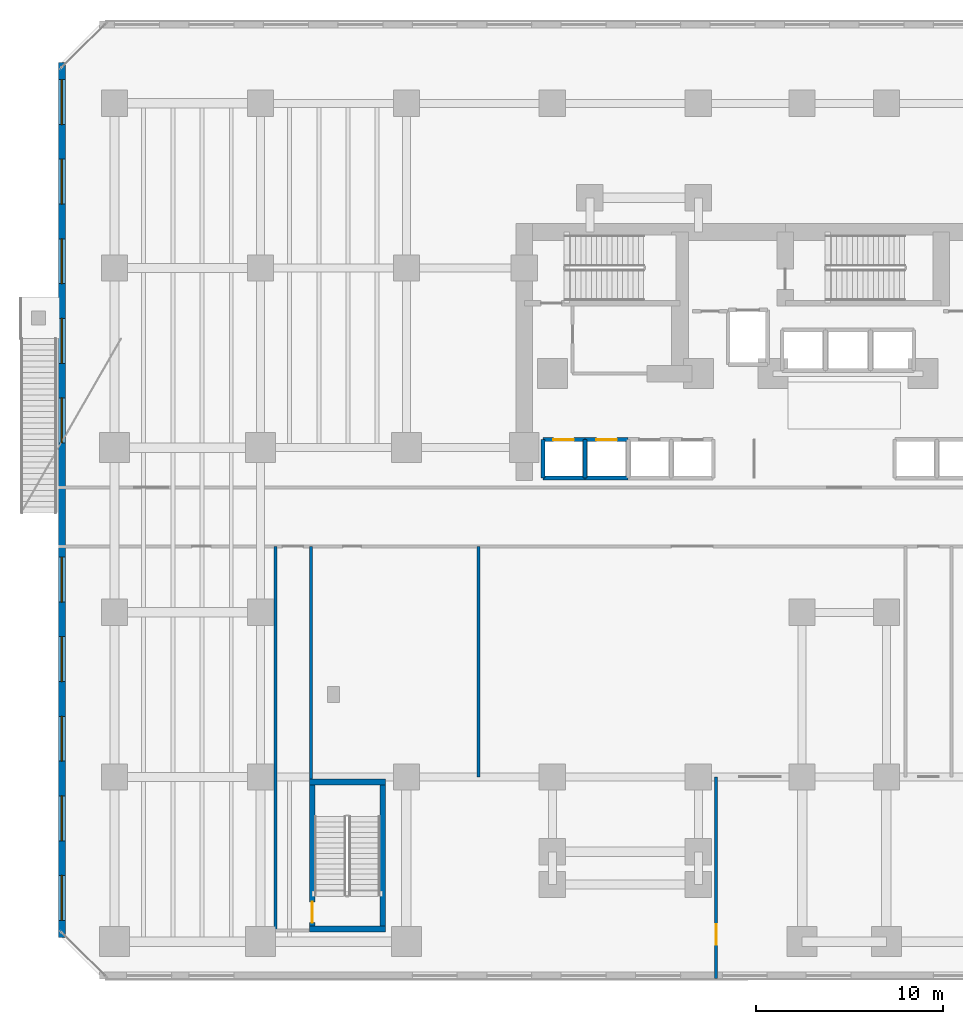
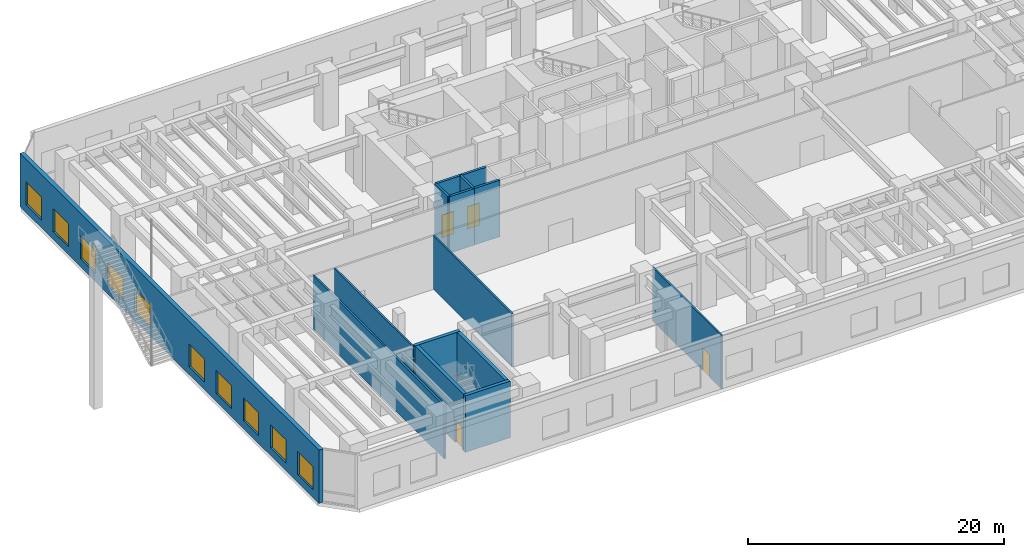
# One storey, part 10 of 21: 15 walls, 10 windows, 4 doors, 14 openings.
"""IFC4 building model written with IfcOpenShell, lengths in metres."""

from ifc_helpers import new_model, si_unit, direction, frame, frame_2d, origin, place, context, subcontext, project, spatial, rectangle, extrude, material, layer, layer_set, type_object, element, fill, save


model = new_model("IFC4")

# Units and contexts
model_context = context("Model", 3, precision=1e-05, world=origin(), true_north=direction((0.0, 1.0)))
body_context = subcontext(model_context, "Body", "Model", "MODEL_VIEW")
ifc_project = project(units=[si_unit("LENGTHUNIT", "METRE"), si_unit("AREAUNIT", "SQUARE_METRE"), si_unit("VOLUMEUNIT", "CUBIC_METRE"), si_unit("PLANEANGLEUNIT", "RADIAN"), si_unit("MASSUNIT", "GRAM", prefix="KILO")], contexts=[model_context])

# Site, building, storey
site_placement = place(None, origin())
site = spatial("IfcSite", under=ifc_project, at=site_placement, CompositionType="ELEMENT")
building_placement = place(site_placement, origin())
building = spatial("IfcBuilding", under=site, at=building_placement, Name="Kestravale Grand Hotel", CompositionType="ELEMENT")
storey_placement = place(building_placement, frame((0.0, 0.0, 10.39990234375)))
storey = spatial("IfcBuildingStorey", under=building, at=storey_placement, Name="L02", CompositionType="ELEMENT", Elevation=10.39990234375)

# Wall, openings, windows
ifc_material_1 = material(Name="Precast concrete f'c 45 MPa", Category="concrete")
ifc_layer_1 = layer(ifc_material_1, 0.3798828125)
ifc_layer_set_1 = layer_set([ifc_layer_1], Name="EW-POD-380")
wall_type_1 = type_object("IfcWallType", Name="EW-POD-380", PredefinedType="SOLIDWALL", material=ifc_layer_set_1)
wall_1_placement = place(storey_placement, frame((-2.81005859375, 49.389892578125, 0.0), z_axis=(0.0, 0.0, 1.0), x_axis=(0.0, -1.0, 0.0)))
wall_1 = element("IfcWall", 1, at=wall_1_placement, inside=storey, type_object=wall_type_1, Name="L02 fluted precast facade wall 7", PredefinedType="SOLIDWALL", context=body_context, shape_type="SweptSolid", body=[
    extrude(rectangle(XDim=46.77978515625, YDim=0.3798828125, at=frame_2d((23.389892578125, 0.0))), origin(), (0.0, 0.0, 1.0), 5.10009765625),
])
opening_1_placement = place(wall_1_placement, frame((0.926513671875, 0.0, 0.75)))
opening_1 = element("IfcOpeningElement", 2, at=opening_1_placement, cuts=wall_1, Name="Opening W-POD-2400", PredefinedType="OPENING", context=body_context, shape_type="SweptSolid", body=[
    extrude(rectangle(XDim=2.39990234375, YDim=2.199951171875, at=frame_2d((1.199951171875, 1.10009765625))), frame((0.0, 0.199951171875, 0.0), z_axis=(0.0, -1.0, 0.0), x_axis=(1.0, 0.0, 0.0)), (0.0, 0.0, 1.0), 0.39990234375),
])
opening_2_placement = place(wall_1_placement, frame((5.17919921875, 0.0, 0.75)))
opening_2 = element("IfcOpeningElement", 3, at=opening_2_placement, cuts=wall_1, Name="Opening W-POD-2400", PredefinedType="OPENING", context=body_context, shape_type="SweptSolid", body=[
    extrude(rectangle(XDim=2.39990234375, YDim=2.199951171875, at=frame_2d((1.199951171875, 1.10009765625))), frame((0.0, 0.199951171875, 0.0), z_axis=(0.0, -1.0, 0.0), x_axis=(1.0, 0.0, 0.0)), (0.0, 0.0, 1.0), 0.39990234375),
])
opening_3_placement = place(wall_1_placement, frame((9.431884765625, 0.0, 0.75)))
opening_3 = element("IfcOpeningElement", 4, at=opening_3_placement, cuts=wall_1, Name="Opening W-POD-2400", PredefinedType="OPENING", context=body_context, shape_type="SweptSolid", body=[
    extrude(rectangle(XDim=2.39990234375, YDim=2.199951171875, at=frame_2d((1.199951171875, 1.10009765625))), frame((0.0, 0.199951171875, 0.0), z_axis=(0.0, -1.0, 0.0), x_axis=(1.0, 0.0, 0.0)), (0.0, 0.0, 1.0), 0.39990234375),
])
opening_4_placement = place(wall_1_placement, frame((13.6845703125, 0.0, 0.75)))
opening_4 = element("IfcOpeningElement", 5, at=opening_4_placement, cuts=wall_1, Name="Opening W-POD-2400", PredefinedType="OPENING", context=body_context, shape_type="SweptSolid", body=[
    extrude(rectangle(XDim=2.39990234375, YDim=2.199951171875, at=frame_2d((1.199951171875, 1.10009765625))), frame((0.0, 0.199951171875, 0.0), z_axis=(0.0, -1.0, 0.0), x_axis=(1.0, 0.0, 0.0)), (0.0, 0.0, 1.0), 0.39990234375),
])
opening_5_placement = place(wall_1_placement, frame((17.937255859375, 0.0, 0.75)))
opening_5 = element("IfcOpeningElement", 6, at=opening_5_placement, cuts=wall_1, Name="Opening W-POD-2400", PredefinedType="OPENING", context=body_context, shape_type="SweptSolid", body=[
    extrude(rectangle(XDim=2.39990234375, YDim=2.199951171875, at=frame_2d((1.199951171875, 1.10009765625))), frame((0.0, 0.199951171875, 0.0), z_axis=(0.0, -1.0, 0.0), x_axis=(1.0, 0.0, 0.0)), (0.0, 0.0, 1.0), 0.39990234375),
])
opening_6_placement = place(wall_1_placement, frame((26.442626953125, 0.0, 0.75)))
opening_6 = element("IfcOpeningElement", 7, at=opening_6_placement, cuts=wall_1, Name="Opening W-POD-2400", PredefinedType="OPENING", context=body_context, shape_type="SweptSolid", body=[
    extrude(rectangle(XDim=2.39990234375, YDim=2.199951171875, at=frame_2d((1.199951171875, 1.10009765625))), frame((0.0, 0.199951171875, 0.0), z_axis=(0.0, -1.0, 0.0), x_axis=(1.0, 0.0, 0.0)), (0.0, 0.0, 1.0), 0.39990234375),
])
opening_7_placement = place(wall_1_placement, frame((30.695556640625, 0.0, 0.75)))
opening_7 = element("IfcOpeningElement", 8, at=opening_7_placement, cuts=wall_1, Name="Opening W-POD-2400", PredefinedType="OPENING", context=body_context, shape_type="SweptSolid", body=[
    extrude(rectangle(XDim=2.39990234375, YDim=2.199951171875, at=frame_2d((1.199951171875, 1.10009765625))), frame((0.0, 0.199951171875, 0.0), z_axis=(0.0, -1.0, 0.0), x_axis=(1.0, 0.0, 0.0)), (0.0, 0.0, 1.0), 0.39990234375),
])
opening_8_placement = place(wall_1_placement, frame((34.9482421875, 0.0, 0.75)))
opening_8 = element("IfcOpeningElement", 9, at=opening_8_placement, cuts=wall_1, Name="Opening W-POD-2400", PredefinedType="OPENING", context=body_context, shape_type="SweptSolid", body=[
    extrude(rectangle(XDim=2.39990234375, YDim=2.199951171875, at=frame_2d((1.199951171875, 1.10009765625))), frame((0.0, 0.199951171875, 0.0), z_axis=(0.0, -1.0, 0.0), x_axis=(1.0, 0.0, 0.0)), (0.0, 0.0, 1.0), 0.39990234375),
])
opening_9_placement = place(wall_1_placement, frame((39.200927734375, 0.0, 0.75)))
opening_9 = element("IfcOpeningElement", 10, at=opening_9_placement, cuts=wall_1, Name="Opening W-POD-2400", PredefinedType="OPENING", context=body_context, shape_type="SweptSolid", body=[
    extrude(rectangle(XDim=2.39990234375, YDim=2.199951171875, at=frame_2d((1.199951171875, 1.10009765625))), frame((0.0, 0.199951171875, 0.0), z_axis=(0.0, -1.0, 0.0), x_axis=(1.0, 0.0, 0.0)), (0.0, 0.0, 1.0), 0.39990234375),
])
opening_10_placement = place(wall_1_placement, frame((43.45361328125, 0.0, 0.75)))
opening_10 = element("IfcOpeningElement", 11, at=opening_10_placement, cuts=wall_1, Name="Opening W-POD-2400", PredefinedType="OPENING", context=body_context, shape_type="SweptSolid", body=[
    extrude(rectangle(XDim=2.39990234375, YDim=2.199951171875, at=frame_2d((1.199951171875, 1.10009765625))), frame((0.0, 0.199951171875, 0.0), z_axis=(0.0, -1.0, 0.0), x_axis=(1.0, 0.0, 0.0)), (0.0, 0.0, 1.0), 0.39990234375),
])
ifc_material_2 = material(Name="Insulated low-E double glazing in aluminium frame", Category="aluminium")
window_type = type_object("IfcWindowType", Name="W-POD-2400", PartitioningType="DOUBLE_PANEL_VERTICAL", PredefinedType="WINDOW", material=ifc_material_2)
window_1_placement = place(opening_1_placement, origin())
window_1 = element("IfcWindow", 12, at=window_1_placement, inside=storey, type_object=window_type, Name="L02 exterior window 7.1", OverallHeight=2.199951171875, OverallWidth=2.39990234375, PartitioningType="SINGLE_PANEL", PredefinedType="WINDOW", context=body_context, shape_type="SweptSolid", body=[
    extrude(rectangle(XDim=2.39990234375, YDim=2.199951171875, at=frame_2d((1.199951171875, 1.10009765625))), frame((0.0, 0.030029296875, 0.0), z_axis=(0.0, -1.0, 0.0), x_axis=(1.0, 0.0, 0.0)), (0.0, 0.0, 1.0), 0.06005859375),
])
fill(opening_1, window_1)
window_2_placement = place(opening_2_placement, origin())
window_2 = element("IfcWindow", 13, at=window_2_placement, inside=storey, type_object=window_type, Name="L02 exterior window 7.2", OverallHeight=2.199951171875, OverallWidth=2.39990234375, PartitioningType="SINGLE_PANEL", PredefinedType="WINDOW", context=body_context, shape_type="SweptSolid", body=[
    extrude(rectangle(XDim=2.39990234375, YDim=2.199951171875, at=frame_2d((1.199951171875, 1.10009765625))), frame((0.0, 0.030029296875, 0.0), z_axis=(0.0, -1.0, 0.0), x_axis=(1.0, 0.0, 0.0)), (0.0, 0.0, 1.0), 0.06005859375),
])
fill(opening_2, window_2)
window_3_placement = place(opening_3_placement, origin())
window_3 = element("IfcWindow", 14, at=window_3_placement, inside=storey, type_object=window_type, Name="L02 exterior window 7.3", OverallHeight=2.199951171875, OverallWidth=2.39990234375, PartitioningType="SINGLE_PANEL", PredefinedType="WINDOW", context=body_context, shape_type="SweptSolid", body=[
    extrude(rectangle(XDim=2.39990234375, YDim=2.199951171875, at=frame_2d((1.199951171875, 1.10009765625))), frame((0.0, 0.030029296875, 0.0), z_axis=(0.0, -1.0, 0.0), x_axis=(1.0, 0.0, 0.0)), (0.0, 0.0, 1.0), 0.06005859375),
])
fill(opening_3, window_3)
window_4_placement = place(opening_4_placement, origin())
window_4 = element("IfcWindow", 15, at=window_4_placement, inside=storey, type_object=window_type, Name="L02 exterior window 7.4", OverallHeight=2.199951171875, OverallWidth=2.39990234375, PartitioningType="SINGLE_PANEL", PredefinedType="WINDOW", context=body_context, shape_type="SweptSolid", body=[
    extrude(rectangle(XDim=2.39990234375, YDim=2.199951171875, at=frame_2d((1.199951171875, 1.10009765625))), frame((0.0, 0.030029296875, 0.0), z_axis=(0.0, -1.0, 0.0), x_axis=(1.0, 0.0, 0.0)), (0.0, 0.0, 1.0), 0.06005859375),
])
fill(opening_4, window_4)
window_5_placement = place(opening_5_placement, origin())
window_5 = element("IfcWindow", 16, at=window_5_placement, inside=storey, type_object=window_type, Name="L02 exterior window 7.5", OverallHeight=2.199951171875, OverallWidth=2.39990234375, PartitioningType="SINGLE_PANEL", PredefinedType="WINDOW", context=body_context, shape_type="SweptSolid", body=[
    extrude(rectangle(XDim=2.39990234375, YDim=2.199951171875, at=frame_2d((1.199951171875, 1.10009765625))), frame((0.0, 0.030029296875, 0.0), z_axis=(0.0, -1.0, 0.0), x_axis=(1.0, 0.0, 0.0)), (0.0, 0.0, 1.0), 0.06005859375),
])
fill(opening_5, window_5)
window_6_placement = place(opening_6_placement, origin())
window_6 = element("IfcWindow", 17, at=window_6_placement, inside=storey, type_object=window_type, Name="L02 exterior window 7.6", OverallHeight=2.199951171875, OverallWidth=2.39990234375, PartitioningType="SINGLE_PANEL", PredefinedType="WINDOW", context=body_context, shape_type="SweptSolid", body=[
    extrude(rectangle(XDim=2.39990234375, YDim=2.199951171875, at=frame_2d((1.199951171875, 1.10009765625))), frame((0.0, 0.030029296875, 0.0), z_axis=(0.0, -1.0, 0.0), x_axis=(1.0, 0.0, 0.0)), (0.0, 0.0, 1.0), 0.06005859375),
])
fill(opening_6, window_6)
window_7_placement = place(opening_7_placement, origin())
window_7 = element("IfcWindow", 18, at=window_7_placement, inside=storey, type_object=window_type, Name="L02 exterior window 7.7", OverallHeight=2.199951171875, OverallWidth=2.39990234375, PartitioningType="SINGLE_PANEL", PredefinedType="WINDOW", context=body_context, shape_type="SweptSolid", body=[
    extrude(rectangle(XDim=2.39990234375, YDim=2.199951171875, at=frame_2d((1.199951171875, 1.10009765625))), frame((0.0, 0.030029296875, 0.0), z_axis=(0.0, -1.0, 0.0), x_axis=(1.0, 0.0, 0.0)), (0.0, 0.0, 1.0), 0.06005859375),
])
fill(opening_7, window_7)
window_8_placement = place(opening_8_placement, origin())
window_8 = element("IfcWindow", 19, at=window_8_placement, inside=storey, type_object=window_type, Name="L02 exterior window 7.8", OverallHeight=2.199951171875, OverallWidth=2.39990234375, PartitioningType="SINGLE_PANEL", PredefinedType="WINDOW", context=body_context, shape_type="SweptSolid", body=[
    extrude(rectangle(XDim=2.39990234375, YDim=2.199951171875, at=frame_2d((1.199951171875, 1.10009765625))), frame((0.0, 0.030029296875, 0.0), z_axis=(0.0, -1.0, 0.0), x_axis=(1.0, 0.0, 0.0)), (0.0, 0.0, 1.0), 0.06005859375),
])
fill(opening_8, window_8)
window_9_placement = place(opening_9_placement, origin())
window_9 = element("IfcWindow", 20, at=window_9_placement, inside=storey, type_object=window_type, Name="L02 exterior window 7.9", OverallHeight=2.199951171875, OverallWidth=2.39990234375, PartitioningType="SINGLE_PANEL", PredefinedType="WINDOW", context=body_context, shape_type="SweptSolid", body=[
    extrude(rectangle(XDim=2.39990234375, YDim=2.199951171875, at=frame_2d((1.199951171875, 1.10009765625))), frame((0.0, 0.030029296875, 0.0), z_axis=(0.0, -1.0, 0.0), x_axis=(1.0, 0.0, 0.0)), (0.0, 0.0, 1.0), 0.06005859375),
])
fill(opening_9, window_9)
window_10_placement = place(opening_10_placement, origin())
window_10 = element("IfcWindow", 21, at=window_10_placement, inside=storey, type_object=window_type, Name="L02 exterior window 7.10", OverallHeight=2.199951171875, OverallWidth=2.39990234375, PartitioningType="SINGLE_PANEL", PredefinedType="WINDOW", context=body_context, shape_type="SweptSolid", body=[
    extrude(rectangle(XDim=2.39990234375, YDim=2.199951171875, at=frame_2d((1.199951171875, 1.10009765625))), frame((0.0, 0.030029296875, 0.0), z_axis=(0.0, -1.0, 0.0), x_axis=(1.0, 0.0, 0.0)), (0.0, 0.0, 1.0), 0.06005859375),
])
fill(opening_10, window_10)

# Wall, opening, door
ifc_material_3 = material(Name="Concrete f'c 45 MPa", Category="concrete")
ifc_layer_2 = layer(ifc_material_3, 0.300048828125)
ifc_layer_set_2 = layer_set([ifc_layer_2], Name="EW-STAIR-300")
wall_type_2 = type_object("IfcWallType", Name="EW-STAIR-300", PredefinedType="SHEAR", material=ifc_layer_set_2)
wall_2_placement = place(storey_placement, frame((10.56005859375, 3.070068359375, 0.0), z_axis=(0.0, 0.0, 1.0), x_axis=(0.0, 1.0, 0.0)))
wall_2 = element("IfcWall", 22, at=wall_2_placement, inside=storey, type_object=wall_type_2, Name="L02 stair enclosure shear wall ST4W", PredefinedType="SHEAR", context=body_context, shape_type="SweptSolid", body=[
    extrude(rectangle(XDim=7.85986328125, YDim=0.300048828125, at=frame_2d((3.929931640625, 0.0))), origin(), (0.0, 0.0, 1.0), 5.400146484375),
])
opening_11_placement = place(wall_2_placement, frame((0.35009765625, 0.0, 0.0)))
opening_11 = element("IfcOpeningElement", 23, at=opening_11_placement, cuts=wall_2, Name="Opening D-ST-1100", PredefinedType="OPENING", context=body_context, shape_type="SweptSolid", body=[
    extrude(rectangle(XDim=1.10009765625, YDim=2.14990234375, at=frame_2d((0.550048828125, 1.074951171875))), frame((0.0, 0.159912109375, 0.0), z_axis=(0.0, -1.0, 0.0), x_axis=(1.0, 0.0, 0.0)), (0.0, 0.0, 1.0), 0.320068359375),
])
ifc_material_4 = material(Name="Galvanised 90-minute fire-rated steel stair door", Category="steel")
door_type_1 = type_object("IfcDoorType", Name="D-ST-1100", OperationType="NOTDEFINED", PredefinedType="DOOR", material=ifc_material_4)
door_1_placement = place(opening_11_placement, origin())
door_1 = element("IfcDoor", 24, at=door_1_placement, inside=storey, type_object=door_type_1, Name="L02 Stair ST-4 fire door", OperationType="SINGLE_SWING_LEFT", OverallHeight=2.14990234375, OverallWidth=1.10009765625, PredefinedType="DOOR", context=body_context, shape_type="SweptSolid", body=[
    extrude(rectangle(XDim=1.10009765625, YDim=2.14990234375, at=frame_2d((0.550048828125, 1.074951171875))), frame((0.0, 0.02490234375, 0.0), z_axis=(0.0, -1.0, 0.0), x_axis=(1.0, 0.0, 0.0)), (0.0, 0.0, 1.0), 0.050048828125),
])
fill(opening_11, door_1)

# Walls
wall_3_placement = place(storey_placement, frame((14.330078125, 3.070068359375, 0.0), z_axis=(0.0, 0.0, 1.0), x_axis=(0.0, 1.0, 0.0)))
element("IfcWall", 25, at=wall_3_placement, inside=storey, type_object=wall_type_2, Name="L02 stair enclosure shear wall ST4E", PredefinedType="SHEAR", context=body_context, shape_type="SweptSolid", body=[
    extrude(rectangle(XDim=7.85986328125, YDim=0.300048828125, at=frame_2d((3.929931640625, 0.0))), origin(), (0.0, 0.0, 1.0), 5.400146484375),
])
for number, where, z_axis, x_axis, name in (
    (26, (10.409912109375, 10.929931640625, 0.0), (0.0, 0.0, 1.0), (1.0, 0.0, 0.0), "L02 stair enclosure shear wall ST4N"),
    (27, (10.409912109375, 3.070068359375, 0.0), (0.0, 0.0, 1.0), (1.0, 0.0, 0.0), "L02 stair enclosure shear wall ST4S"),
):
    element("IfcWall", number, at=place(storey_placement, frame(where, z_axis=z_axis, x_axis=x_axis)), inside=storey, type_object=wall_type_2, Name=name, PredefinedType="SHEAR", context=body_context, shape_type="SweptSolid", body=[
        extrude(rectangle(XDim=4.070068359375, YDim=0.300048828125, at=frame_2d((2.03515625, 0.0))), origin(), (0.0, 0.0, 1.0), 5.400146484375),
    ])
ifc_material_5 = material(Name="Acoustic fire-rated gypsum board partition", Category="other")
ifc_layer_3 = layer(ifc_material_5, 0.159912109375)
ifc_layer_set_3 = layer_set([ifc_layer_3], Name="IW-CORR-160")
wall_type_3 = type_object("IfcWallType", Name="IW-CORR-160", PredefinedType="PARTITIONING", material=ifc_layer_set_3)
wall_4_placement = place(storey_placement, frame((8.60009765625, 3.0, 0.0), z_axis=(0.0, 0.0, 1.0), x_axis=(0.0, 1.0, 0.0)))
element("IfcWall", 28, at=wall_4_placement, inside=storey, type_object=wall_type_3, Name="W-L02-ST4C-W", PredefinedType="PARTITIONING", context=body_context, shape_type="SweptSolid", body=[
    extrude(rectangle(XDim=20.52001953125, YDim=0.159912109375, at=frame_2d((10.260009765625, 0.0))), origin(), (0.0, 0.0, 1.0), 5.10009765625),
])
wall_5_placement = place(storey_placement, frame((10.5, 10.949951171875, 0.0), z_axis=(0.0, 0.0, 1.0), x_axis=(0.0, 1.0, 0.0)))
element("IfcWall", 29, at=wall_5_placement, inside=storey, type_object=wall_type_3, Name="W-L02-ST4C-E", PredefinedType="PARTITIONING", context=body_context, shape_type="SweptSolid", body=[
    extrude(rectangle(XDim=12.570068359375, YDim=0.159912109375, at=frame_2d((6.28515625, 0.0))), origin(), (0.0, 0.0, 1.0), 5.10009765625),
])
wall_6_placement = place(storey_placement, frame((19.449951171875, 11.199951171875, 0.0), z_axis=(0.0, 0.0, 1.0), x_axis=(0.0, 1.0, 0.0)))
element("IfcWall", 30, at=wall_6_placement, inside=storey, type_object=wall_type_3, Name="W-L02-MTG-E", PredefinedType="PARTITIONING", context=body_context, shape_type="SweptSolid", body=[
    extrude(rectangle(XDim=12.320068359375, YDim=0.159912109375, at=frame_2d((6.16015625, 0.0))), origin(), (0.0, 0.0, 1.0), 5.10009765625),
])
ifc_material_6 = material(Name="Concrete f'c 45 MPa", Category="concrete")
ifc_layer_4 = layer(ifc_material_6, 0.199951171875)
ifc_layer_set_4 = layer_set([ifc_layer_4], Name="IW-SHAFT-200")
wall_type_4 = type_object("IfcWallType", Name="IW-SHAFT-200", PredefinedType="SHEAR", material=ifc_layer_set_4)
for number, where, z_axis, x_axis, name in (
    (31, (22.905029296875, 27.169921875, 0.0), (0.0, 0.0, 1.0), (0.0, 1.0, 0.0), "L02 PL-L1 west shaft wall"),
    (32, (25.14990234375, 27.169921875, 0.0), (0.0, 0.0, 1.0), (0.0, 1.0, 0.0), "L02 PL-L2 west shaft wall"),
):
    element("IfcWall", number, at=place(storey_placement, frame(where, z_axis=z_axis, x_axis=x_axis)), inside=storey, type_object=wall_type_4, Name=name, PredefinedType="SHEAR", context=body_context, shape_type="SweptSolid", body=[
        extrude(rectangle(XDim=2.06005859375, YDim=0.199951171875, at=frame_2d((1.030029296875, 0.0))), origin(), (0.0, 0.0, 1.0), 5.400146484375),
    ])

# Wall, opening, door
ifc_material_7 = material(Name="Concrete f'c 45 MPa", Category="concrete")
ifc_layer_5 = layer(ifc_material_7, 0.219970703125)
ifc_layer_set_5 = layer_set([ifc_layer_5], Name="IW-SHAFT-220")
wall_type_5 = type_object("IfcWallType", Name="IW-SHAFT-220", PredefinedType="SHEAR", material=ifc_layer_set_5)
wall_7_placement = place(storey_placement, frame((22.905029296875, 29.22998046875, 0.0), z_axis=(0.0, 0.0, 1.0), x_axis=(1.0, 0.0, 0.0)))
wall_7 = element("IfcWall", 33, at=wall_7_placement, inside=storey, type_object=wall_type_5, Name="L02 PL-L1 north shaft wall", PredefinedType="SHEAR", context=body_context, shape_type="SweptSolid", body=[
    extrude(rectangle(XDim=2.244873046875, YDim=0.219970703125, at=frame_2d((1.12255859375, 0.0))), origin(), (0.0, 0.0, 1.0), 5.400146484375),
])
opening_12_placement = place(wall_7_placement, frame((0.544921875, 0.0, 0.0)))
opening_12 = element("IfcOpeningElement", 34, at=opening_12_placement, cuts=wall_7, Name="Opening LD-PAX-1100", PredefinedType="OPENING", context=body_context, shape_type="SweptSolid", body=[
    extrude(rectangle(XDim=1.10009765625, YDim=2.14990234375, at=frame_2d((0.550048828125, 1.074951171875))), frame((0.0, 0.119873046875, 0.0), z_axis=(0.0, -1.0, 0.0), x_axis=(1.0, 0.0, 0.0)), (0.0, 0.0, 1.0), 0.239990234375),
])
ifc_material_8 = material(Name="Champagne-bronze center-opening sliding elevator landing door", Category="steel")
door_type_2 = type_object("IfcDoorType", Name="LD-PAX-1100", OperationType="NOTDEFINED", PredefinedType="DOOR", material=ifc_material_8)
door_2_placement = place(opening_12_placement, origin())
door_2 = element("IfcDoor", 35, at=door_2_placement, inside=storey, type_object=door_type_2, Name="L02 PL-L1 elevator landing sliding door", OperationType="DOUBLE_DOOR_SLIDING", OverallHeight=2.14990234375, OverallWidth=1.10009765625, PredefinedType="DOOR", context=body_context, shape_type="SweptSolid", body=[
    extrude(rectangle(XDim=1.10009765625, YDim=2.14990234375, at=frame_2d((0.550048828125, 1.074951171875))), frame((0.0, 0.02490234375, 0.0), z_axis=(0.0, -1.0, 0.0), x_axis=(1.0, 0.0, 0.0)), (0.0, 0.0, 1.0), 0.050048828125),
])
fill(opening_12, door_2)

# Wall
wall_8_placement = place(storey_placement, frame((22.905029296875, 27.169921875, 0.0), z_axis=(0.0, 0.0, 1.0), x_axis=(1.0, 0.0, 0.0)))
element("IfcWall", 36, at=wall_8_placement, inside=storey, type_object=wall_type_5, Name="L02 PL-L1 south shaft wall", PredefinedType="SHEAR", context=body_context, shape_type="SweptSolid", body=[
    extrude(rectangle(XDim=2.244873046875, YDim=0.219970703125, at=frame_2d((1.12255859375, 0.0))), origin(), (0.0, 0.0, 1.0), 5.400146484375),
])

# Wall, opening, door
wall_9_placement = place(storey_placement, frame((25.14990234375, 29.22998046875, 0.0), z_axis=(0.0, 0.0, 1.0), x_axis=(1.0, 0.0, 0.0)))
wall_9 = element("IfcWall", 37, at=wall_9_placement, inside=storey, type_object=wall_type_5, Name="L02 PL-L2 north shaft wall", PredefinedType="SHEAR", context=body_context, shape_type="SweptSolid", body=[
    extrude(rectangle(XDim=2.300048828125, YDim=0.219970703125, at=frame_2d((1.14990234375, 0.0))), origin(), (0.0, 0.0, 1.0), 5.400146484375),
])
opening_13_placement = place(wall_9_placement, frame((0.60009765625, 0.0, 0.0)))
opening_13 = element("IfcOpeningElement", 38, at=opening_13_placement, cuts=wall_9, Name="Opening LD-PAX-1100", PredefinedType="OPENING", context=body_context, shape_type="SweptSolid", body=[
    extrude(rectangle(XDim=1.10009765625, YDim=2.14990234375, at=frame_2d((0.550048828125, 1.074951171875))), frame((0.0, 0.119873046875, 0.0), z_axis=(0.0, -1.0, 0.0), x_axis=(1.0, 0.0, 0.0)), (0.0, 0.0, 1.0), 0.239990234375),
])
door_3_placement = place(opening_13_placement, origin())
door_3 = element("IfcDoor", 39, at=door_3_placement, inside=storey, type_object=door_type_2, Name="L02 PL-L2 elevator landing sliding door", OperationType="DOUBLE_DOOR_SLIDING", OverallHeight=2.14990234375, OverallWidth=1.10009765625, PredefinedType="DOOR", context=body_context, shape_type="SweptSolid", body=[
    extrude(rectangle(XDim=1.10009765625, YDim=2.14990234375, at=frame_2d((0.550048828125, 1.074951171875))), frame((0.0, 0.02490234375, 0.0), z_axis=(0.0, -1.0, 0.0), x_axis=(1.0, 0.0, 0.0)), (0.0, 0.0, 1.0), 0.050048828125),
])
fill(opening_13, door_3)

# Wall
wall_10_placement = place(storey_placement, frame((25.14990234375, 27.169921875, 0.0), z_axis=(0.0, 0.0, 1.0), x_axis=(1.0, 0.0, 0.0)))
element("IfcWall", 40, at=wall_10_placement, inside=storey, type_object=wall_type_5, Name="L02 PL-L2 south shaft wall", PredefinedType="SHEAR", context=body_context, shape_type="SweptSolid", body=[
    extrude(rectangle(XDim=2.300048828125, YDim=0.219970703125, at=frame_2d((1.14990234375, 0.0))), origin(), (0.0, 0.0, 1.0), 5.400146484375),
])

# Wall, opening, door
ifc_material_9 = material(Name="Double-stud STC 52 acoustic demising partition", Category="other")
ifc_layer_6 = layer(ifc_material_9, 0.14990234375)
ifc_layer_set_6 = layer_set([ifc_layer_6], Name="IW-UNIT-150")
wall_type_6 = type_object("IfcWallType", Name="IW-UNIT-150", PredefinedType="PARTITIONING", material=ifc_layer_set_6)
wall_11_placement = place(storey_placement, frame((32.14990234375, 0.419921875, 0.0), z_axis=(0.0, 0.0, 1.0), x_axis=(0.0, 1.0, 0.0)))
wall_11 = element("IfcWall", 41, at=wall_11_placement, inside=storey, type_object=wall_type_6, Name="W-L02-SGAL-DIV", PredefinedType="PARTITIONING", context=body_context, shape_type="SweptSolid", body=[
    extrude(rectangle(XDim=10.780029296875, YDim=0.14990234375, at=frame_2d((5.39013671875, 0.0))), origin(), (0.0, 0.0, 1.0), 5.10009765625),
])
opening_14_placement = place(wall_11_placement, frame((1.800048828125, 0.0, 0.0)))
opening_14 = element("IfcOpeningElement", 42, at=opening_14_placement, cuts=wall_11, Name="Opening D-CORR-1100", PredefinedType="OPENING", context=body_context, shape_type="SweptSolid", body=[
    extrude(rectangle(XDim=1.10009765625, YDim=2.14990234375, at=frame_2d((0.550048828125, 1.074951171875))), frame((0.0, 0.0849609375, 0.0), z_axis=(0.0, -1.0, 0.0), x_axis=(1.0, 0.0, 0.0)), (0.0, 0.0, 1.0), 0.169921875),
])
ifc_material_10 = material(Name="Single-leaf service vestibule fire door", Category="steel")
door_type_3 = type_object("IfcDoorType", Name="D-CORR-1100", OperationType="NOTDEFINED", PredefinedType="DOOR", material=ifc_material_10)
door_4_placement = place(opening_14_placement, origin())
door_4 = element("IfcDoor", 43, at=door_4_placement, inside=storey, type_object=door_type_3, Name="L02 Banquet Store Door", OperationType="SINGLE_SWING_RIGHT", OverallHeight=2.14990234375, OverallWidth=1.10009765625, PredefinedType="DOOR", context=body_context, shape_type="SweptSolid", body=[
    extrude(rectangle(XDim=1.10009765625, YDim=2.14990234375, at=frame_2d((0.550048828125, 1.074951171875))), frame((0.0, 0.02490234375, 0.0), z_axis=(0.0, -1.0, 0.0), x_axis=(1.0, 0.0, 0.0)), (0.0, 0.0, 1.0), 0.050048828125),
])
fill(opening_14, door_4)

save(model, "model.ifc")
